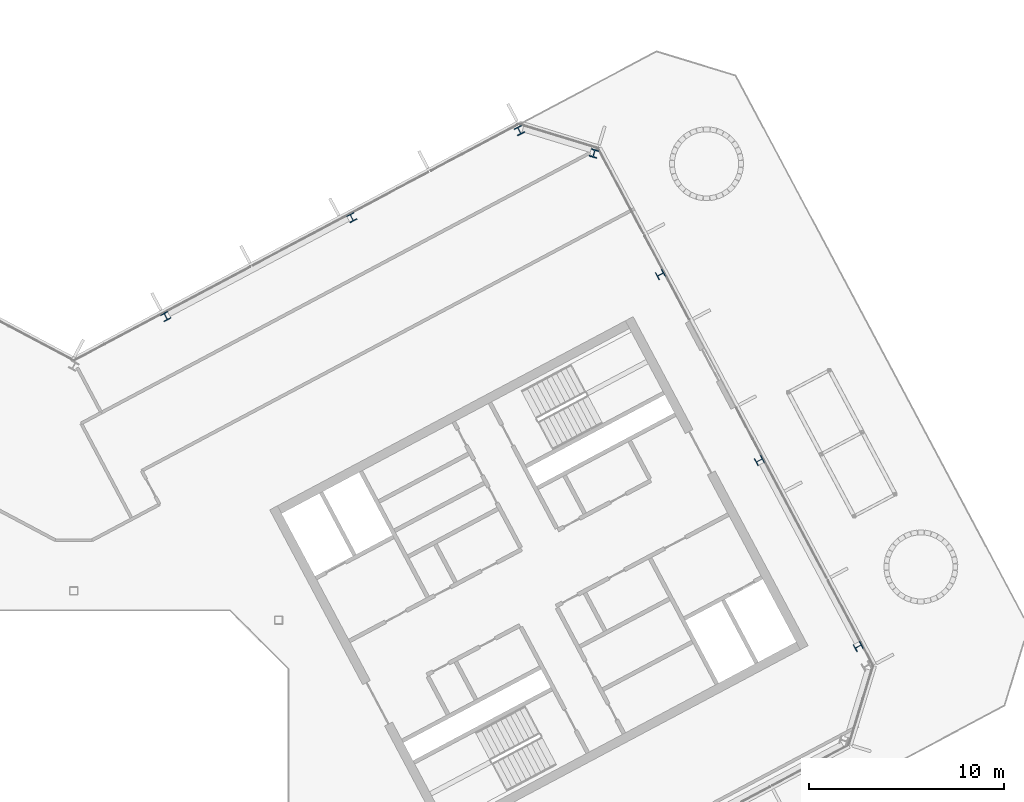
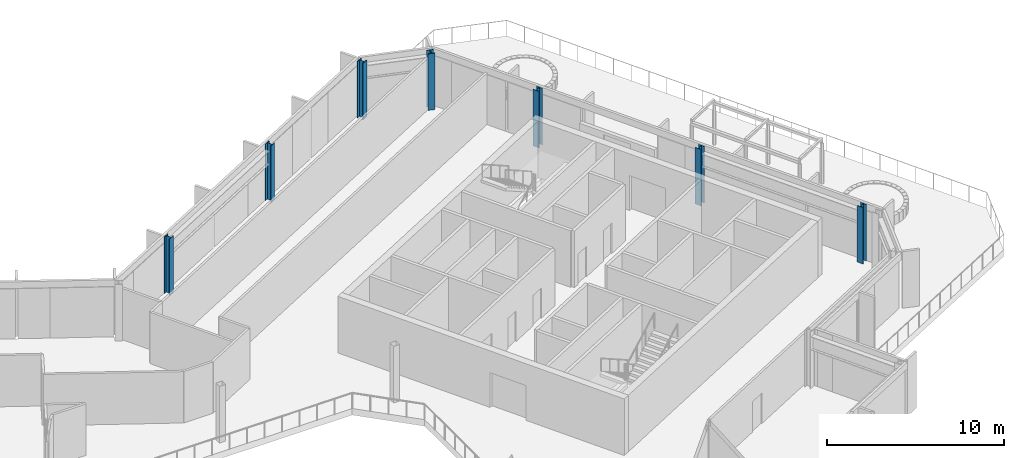
# One storey, part 7 of 30: 7 columns.
"""IFC4 building model written with IfcOpenShell, lengths in metres."""

from ifc_helpers import new_model, si_unit, direction, frame, origin, origin_2d, place, context, subcontext, project, spatial, i_section, extrude, material, material_profile, profile_set, type_object, element, save


model = new_model("IFC4")

# Units and contexts
model_context = context("Model", 3, precision=1e-05, world=origin(), true_north=direction((0.0, 1.0)))
body_context = subcontext(model_context, "Body", "Model", "MODEL_VIEW")
ifc_project = project(units=[si_unit("LENGTHUNIT", "METRE"), si_unit("AREAUNIT", "SQUARE_METRE"), si_unit("VOLUMEUNIT", "CUBIC_METRE"), si_unit("PLANEANGLEUNIT", "RADIAN"), si_unit("MASSUNIT", "GRAM", prefix="KILO")], contexts=[model_context])

# Site, building, storey
site_placement = place(None, origin())
site = spatial("IfcSite", under=ifc_project, at=site_placement, CompositionType="ELEMENT")
building_placement = place(site_placement, origin())
building = spatial("IfcBuilding", under=site, at=building_placement, Name="Cormorant Relay Tower", CompositionType="ELEMENT")
storey_placement = place(building_placement, frame((0.0, 0.0, 258.0)))
storey = spatial("IfcBuildingStorey", under=building, at=storey_placement, Name="L57", CompositionType="ELEMENT", Elevation=258.0)

# Columns
ifc_material_1 = material(Name="Steel ASTM A992 (Fy 345 MPa)", Category="steel")
ifc_material_profile_1 = material_profile(ifc_material_1, i_section(OverallWidth=0.398681640625, OverallDepth=0.385986328125, WebThickness=0.02099609375, FlangeThickness=0.033203125, FilletRadius=0.01513671875, at=origin_2d()), Name="W360x262")
ifc_profile_set_1 = profile_set([ifc_material_profile_1], Name="Steel ASTM A992 (Fy 345 MPa)")
column_type_1 = type_object("IfcColumnType", Name="Column W360x262", PredefinedType="COLUMN", material=ifc_profile_set_1)
for number, where, z_axis, x_axis, name in (
    (1, (40.2119140625, 9.14892578125, 0.0), (0.0, 0.0, 1.0), (-0.469471562786, 0.882947592859, 0.0), "Column L57-021"),
    (2, (35.14111328125, 18.68505859375, 0.0), (0.0, 0.0, 1.0), (-0.469471562786, 0.882947592859, 0.0), "Column L57-027"),
    (3, (4.715087890625, 26.06494140625, 0.0), (0.0, 0.0, 1.0), (-0.882947592859, -0.469471562786, 0.0), "Column L57-031"),
    (4, (30.071044921875, 28.220947265625, 0.0), (0.0, 0.0, 1.0), (-0.469471562786, 0.882947592859, 0.0), "Column L57-033"),
    (5, (14.2509765625, 31.135009765625, 0.0), (0.0, 0.0, 1.0), (-0.882947592859, -0.469471562786, 0.0), "Column L57-035"),
):
    element("IfcColumn", number, at=place(storey_placement, frame(where, z_axis=z_axis, x_axis=x_axis)), inside=storey, type_object=column_type_1, Name=name, PredefinedType="COLUMN", context=body_context, shape_type="SweptSolid", body=[
        extrude(i_section(OverallWidth=0.398681640625, OverallDepth=0.385986328125, WebThickness=0.02099609375, FlangeThickness=0.033203125, FilletRadius=0.01513671875, at=origin_2d()), origin(), (0.0, 0.0, 1.0), 3.89990234375),
    ])
ifc_material_2 = material(Name="Steel ASTM A992 (Fy 345 MPa)", Category="steel")
ifc_material_profile_2 = material_profile(ifc_material_2, i_section(OverallWidth=0.40380859375, OverallDepth=0.406494140625, WebThickness=0.027099609375, FlangeThickness=0.043701171875, FilletRadius=0.01513671875, at=origin_2d()), Name="W360x347")
ifc_profile_set_2 = profile_set([ifc_material_profile_2], Name="Steel ASTM A992 (Fy 345 MPa)")
column_type_2 = type_object("IfcColumnType", Name="Column W360x347", PredefinedType="COLUMN", material=ifc_profile_set_2)
for number, where, z_axis, x_axis, name in (
    (6, (26.6640625, 34.425048828125, 0.0), (0.0, 0.0, 1.0), (-0.956304755963, 0.292371704723, 0.0), "Column L57-038"),
    (7, (22.841064453125, 35.593994140625, 0.0), (0.0, 0.0, 1.0), (-0.882947592859, -0.469471562786, 0.0), "Column L57-039"),
):
    element("IfcColumn", number, at=place(storey_placement, frame(where, z_axis=z_axis, x_axis=x_axis)), inside=storey, type_object=column_type_2, Name=name, PredefinedType="COLUMN", context=body_context, shape_type="SweptSolid", body=[
        extrude(i_section(OverallWidth=0.40380859375, OverallDepth=0.406494140625, WebThickness=0.027099609375, FlangeThickness=0.043701171875, FilletRadius=0.01513671875, at=origin_2d()), origin(), (0.0, 0.0, 1.0), 3.89990234375),
    ])

save(model, "model.ifc")
